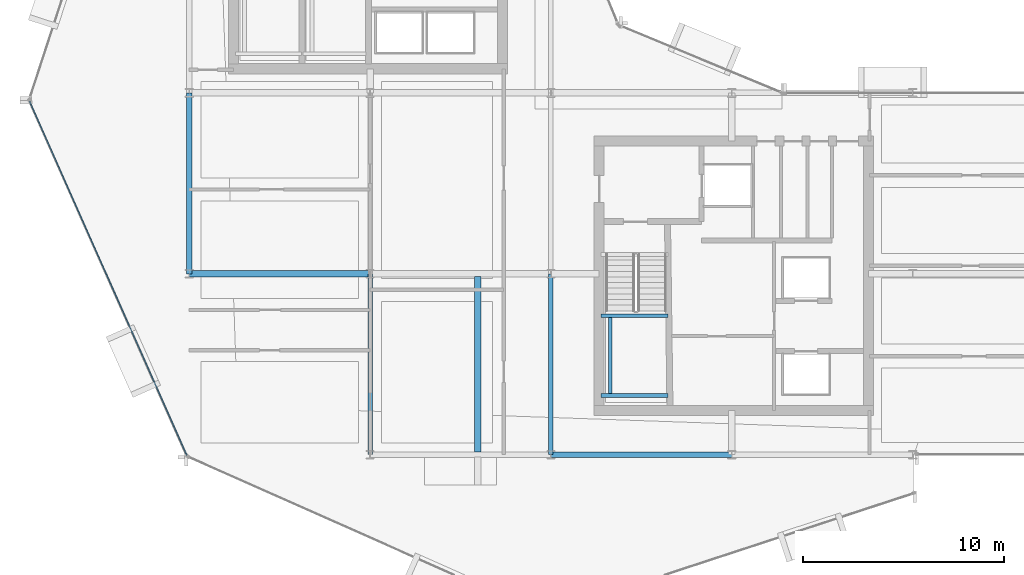
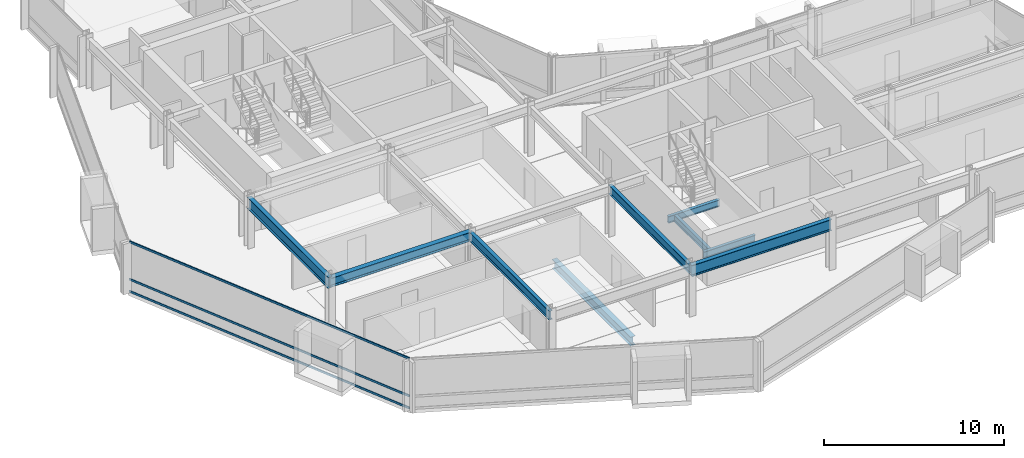
# One storey, part 5 of 29: 9 beams, 3 members, 1 element without a shape of its own.
"""IFC4 building model written with IfcOpenShell, lengths in metres."""

from ifc_helpers import new_model, si_unit, direction, frame, origin, origin_2d, place, context, subcontext, project, spatial, hollow_rectangle, i_section, extrude, material, layer, layer_set, material_profile, profile_set, type_object, element, aggregate, save


model = new_model("IFC4")

# Units and contexts
model_context = context("Model", 3, precision=1e-05, world=origin(), true_north=direction((0.0, 1.0)))
body_context = subcontext(model_context, "Body", "Model", "MODEL_VIEW")
ifc_project = project(units=[si_unit("LENGTHUNIT", "METRE"), si_unit("AREAUNIT", "SQUARE_METRE"), si_unit("VOLUMEUNIT", "CUBIC_METRE"), si_unit("PLANEANGLEUNIT", "RADIAN"), si_unit("MASSUNIT", "GRAM", prefix="KILO")], contexts=[model_context])

# Site, building, storey
site_placement = place(None, origin())
site = spatial("IfcSite", under=ifc_project, at=site_placement, CompositionType="ELEMENT")
building_placement = place(site_placement, origin())
building = spatial("IfcBuilding", under=site, at=building_placement, Name="Solvaryn Broadcast Tower", CompositionType="ELEMENT")
storey_placement = place(building_placement, frame((0.0, 0.0, 147.0)))
storey = spatial("IfcBuildingStorey", under=building, at=storey_placement, Name="L36", CompositionType="ELEMENT", Elevation=147.0)

# Beams
ifc_material_1 = material(Name="Steel ASTM A992 Grade 50", Category="steel")
ifc_material_profile_1 = material_profile(ifc_material_1, i_section(OverallWidth=0.323974609375, OverallDepth=0.611083984375, WebThickness=0.0126953125, FlangeThickness=0.01904296875, FilletRadius=0.014892578125, at=origin_2d()))
ifc_profile_set_1 = profile_set([ifc_material_profile_1], Name="Steel ASTM A992 Grade 50")
beam_type_1 = type_object("IfcBeamType", Name="BM-B1-W24X104", PredefinedType="BEAM", material=ifc_profile_set_1)
beam_1_placement = place(storey_placement, frame((23.35009765625, 17.875, -0.58544921875), z_axis=(0.0, -1.0, 0.0), x_axis=(1.0, 0.0, 0.0)))
element("IfcBeam", 1, at=beam_1_placement, inside=storey, type_object=beam_type_1, Name="L36 Bay-Box Back-Span Beam 1", PredefinedType="BEAM", context=body_context, shape_type="SweptSolid", body=[
    extrude(i_section(OverallWidth=0.323974609375, OverallDepth=0.611083984375, WebThickness=0.0126953125, FlangeThickness=0.01904296875, FilletRadius=0.014892578125, at=origin_2d()), origin(), (0.0, 0.0, 1.0), 8.75),
])
beam_2_placement = place(storey_placement, frame((9.0, 18.0, 3.114501953125), z_axis=(1.0, 0.0, 0.0), x_axis=(0.0, 1.0, 0.0)))
element("IfcBeam", 2, at=beam_2_placement, inside=storey, type_object=beam_type_1, Name="L36 Primary Beam X (9-18 @ Y=18)", PredefinedType="BEAM", context=body_context, shape_type="SweptSolid", body=[
    extrude(i_section(OverallWidth=0.323974609375, OverallDepth=0.611083984375, WebThickness=0.0126953125, FlangeThickness=0.01904296875, FilletRadius=0.014892578125, at=origin_2d()), origin(), (0.0, 0.0, 1.0), 9.0),
])
ifc_material_2 = material(Name="Steel ASTM A992 Grade 50", Category="steel")
ifc_material_profile_2 = material_profile(ifc_material_2, i_section(OverallWidth=0.22802734375, OverallDepth=0.60791015625, WebThickness=0.01123046875, FlangeThickness=0.017333984375, FilletRadius=0.014892578125, at=origin_2d()))
ifc_profile_set_2 = profile_set([ifc_material_profile_2], Name="Steel ASTM A992 Grade 50")
beam_type_2 = type_object("IfcBeamType", Name="BM-B2-W24X76", PredefinedType="BEAM", material=ifc_profile_set_2)
for number, where, z_axis, x_axis, name in (
    (3, (18.0, 9.0, 3.115966796875), (0.0, 1.0, 0.0), (-1.0, 0.0, 0.0), "L36 Primary Beam Y (9-18 @ X=18)"),
    (4, (27.0, 9.0, 3.115966796875), (0.0, 1.0, 0.0), (-1.0, 0.0, 0.0), "L36 Primary Beam Y (9-18 @ X=27)"),
):
    element("IfcBeam", number, at=place(storey_placement, frame(where, z_axis=z_axis, x_axis=x_axis)), inside=storey, type_object=beam_type_2, Name=name, PredefinedType="BEAM", context=body_context, shape_type="SweptSolid", body=[
        extrude(i_section(OverallWidth=0.22802734375, OverallDepth=0.60791015625, WebThickness=0.01123046875, FlangeThickness=0.017333984375, FilletRadius=0.014892578125, at=origin_2d()), origin(), (0.0, 0.0, 1.0), 9.0),
    ])
ifc_material_3 = material(Name="Steel ASTM A992 Grade 50", Category="steel")
ifc_material_profile_3 = material_profile(ifc_material_3, i_section(OverallWidth=0.18994140625, OverallDepth=0.45703125, WebThickness=0.009033203125, FlangeThickness=0.014404296875, FilletRadius=0.011962890625, at=origin_2d()))
ifc_profile_set_3 = profile_set([ifc_material_profile_3], Name="Steel ASTM A992 Grade 50")
beam_type_3 = type_object("IfcBeamType", Name="BM-B4-W18X50", PredefinedType="BEAM", material=ifc_profile_set_3)
for number, where, z_axis, x_axis, name in (
    (5, (29.5, 11.949951171875, 1.42138671875), (1.0, 0.0, 0.0), (0.0, 1.0, 0.0), "L36 ST3 Landing Support Beam 1A"),
    (6, (29.5, 15.909912109375, 1.42138671875), (1.0, 0.0, 0.0), (0.0, 1.0, 0.0), "L36 ST3 Landing Support Beam 1B"),
):
    element("IfcBeam", number, at=place(storey_placement, frame(where, z_axis=z_axis, x_axis=x_axis)), inside=storey, type_object=beam_type_3, Name=name, PredefinedType="BEAM", context=body_context, shape_type="SweptSolid", body=[
        extrude(i_section(OverallWidth=0.18994140625, OverallDepth=0.45703125, WebThickness=0.009033203125, FlangeThickness=0.014404296875, FilletRadius=0.011962890625, at=origin_2d()), origin(), (0.0, 0.0, 1.0), 3.320068359375),
    ])
beam_3_placement = place(storey_placement, frame((29.949951171875, 11.949951171875, 1.42138671875), z_axis=(0.0, 1.0, 0.0), x_axis=(-1.0, 0.0, 0.0)))
element("IfcBeam", 7, at=beam_3_placement, inside=storey, type_object=beam_type_3, Name="L36 ST3 Landing Cross Stringer 1C", PredefinedType="BEAM", context=body_context, shape_type="SweptSolid", body=[
    extrude(i_section(OverallWidth=0.18994140625, OverallDepth=0.45703125, WebThickness=0.009033203125, FlangeThickness=0.014404296875, FilletRadius=0.011962890625, at=origin_2d()), origin(), (0.0, 0.0, 1.0), 3.9599609375),
])
ifc_material_4 = material(Name="Steel ASTM A992 Grade 50", Category="steel")
ifc_material_profile_4 = material_profile(ifc_material_4, i_section(OverallWidth=0.26708984375, OverallDepth=0.76611328125, WebThickness=0.014892578125, FlangeThickness=0.023681640625, FilletRadius=0.01806640625, at=origin_2d()))
ifc_profile_set_4 = profile_set([ifc_material_profile_4], Name="Steel ASTM A992 Grade 50")
beam_type_4 = type_object("IfcBeamType", Name="BM-SP2-W30X124", PredefinedType="USERDEFINED", material=ifc_profile_set_4)
for number, where, z_axis, x_axis, name in (
    (8, (27.0, 9.0, 3.037109375), (1.0, 0.0, 0.0), (0.0, 1.0, 0.0), "L36 Spandrel Beam X (27-36 @ Y=9)"),
    (9, (9.0, 18.0, 3.037109375), (0.0, 1.0, 0.0), (-1.0, 0.0, 0.0), "L36 Spandrel Beam Y (18-27 @ X=9)"),
):
    element("IfcBeam", number, at=place(storey_placement, frame(where, z_axis=z_axis, x_axis=x_axis)), inside=storey, type_object=beam_type_4, Name=name, ObjectType="SPANDREL", PredefinedType="USERDEFINED", context=body_context, shape_type="SweptSolid", body=[
        extrude(i_section(OverallWidth=0.26708984375, OverallDepth=0.76611328125, WebThickness=0.014892578125, FlangeThickness=0.023681640625, FilletRadius=0.01806640625, at=origin_2d()), origin(), (0.0, 0.0, 1.0), 9.0),
    ])

# Curtain wall, members
ifc_material_5 = material(Name="Aluminium and Terracotta Unitised Curtain Wall", Category="masonry")
ifc_layer = layer(ifc_material_5, 0.199951171875)
ifc_layer_set = layer_set([ifc_layer], Name="CW-SYS2-LOWMID")
curtain_wall_type = type_object("IfcCurtainWallType", Name="CW-SYS2-LOWMID", PredefinedType="NOTDEFINED", material=ifc_layer_set)
curtain_wall_placement = place(storey_placement, origin())
curtain_wall = element("IfcCurtainWall", 10, at=curtain_wall_placement, inside=storey, type_object=curtain_wall_type, Name="L36 Curtain Wall DR2", PredefinedType="NOTDEFINED")
ifc_material_6 = material(Name="Anodised Aluminium 6063-T6", Category="aluminium")
ifc_material_profile_5 = material_profile(ifc_material_6, hollow_rectangle(XDim=0.06494140625, YDim=0.14990234375, WallThickness=0.00390625, InnerFilletRadius=0.00390625, OuterFilletRadius=0.008056640625, at=origin_2d()))
ifc_profile_set_5 = profile_set([ifc_material_profile_5], Name="Anodised Aluminium 6063-T6")
member_type = type_object("IfcMemberType", Name="CW-TRN-150", PredefinedType="USERDEFINED", material=ifc_profile_set_5)
member_1_placement = place(storey_placement, frame((1.058349609375, 26.5810546875, 0.030029296875), z_axis=(0.405917546252, -0.913909703223, 0.0), x_axis=(0.913909703223, 0.405917546252, 0.0)))
member_1 = element("IfcMember", 11, at=member_1_placement, type_object=member_type, Name="CWS2 transom 1.1", ObjectType="TRANSOM", PredefinedType="USERDEFINED", context=body_context, shape_type="SweptSolid", body=[
    extrude(hollow_rectangle(XDim=0.06494140625, YDim=0.14990234375, WallThickness=0.00390625, InnerFilletRadius=0.00390625, OuterFilletRadius=0.008056640625, at=origin_2d()), origin(), (0.0, 0.0, 1.0), 19.27783203125),
])
member_2_placement = place(storey_placement, frame((1.058349609375, 26.5810546875, 0.85009765625), z_axis=(0.405917546252, -0.913909703223, 0.0), x_axis=(0.913909703223, 0.405917546252, 0.0)))
member_2 = element("IfcMember", 12, at=member_2_placement, type_object=member_type, Name="CWS2 transom 1.2", ObjectType="TRANSOM", PredefinedType="USERDEFINED", context=body_context, shape_type="SweptSolid", body=[
    extrude(hollow_rectangle(XDim=0.06494140625, YDim=0.14990234375, WallThickness=0.00390625, InnerFilletRadius=0.00390625, OuterFilletRadius=0.008056640625, at=origin_2d()), origin(), (0.0, 0.0, 1.0), 19.27783203125),
])
member_3_placement = place(storey_placement, frame((1.058349609375, 26.5810546875, 3.389892578125), z_axis=(0.405917546252, -0.913909703223, 0.0), x_axis=(0.913909703223, 0.405917546252, 0.0)))
member_3 = element("IfcMember", 13, at=member_3_placement, type_object=member_type, Name="CWS2 transom 1.3", ObjectType="TRANSOM", PredefinedType="USERDEFINED", context=body_context, shape_type="SweptSolid", body=[
    extrude(hollow_rectangle(XDim=0.06494140625, YDim=0.14990234375, WallThickness=0.00390625, InnerFilletRadius=0.00390625, OuterFilletRadius=0.008056640625, at=origin_2d()), origin(), (0.0, 0.0, 1.0), 19.27783203125),
])
aggregate(curtain_wall, [member_1, member_2, member_3])

save(model, "model.ifc")
